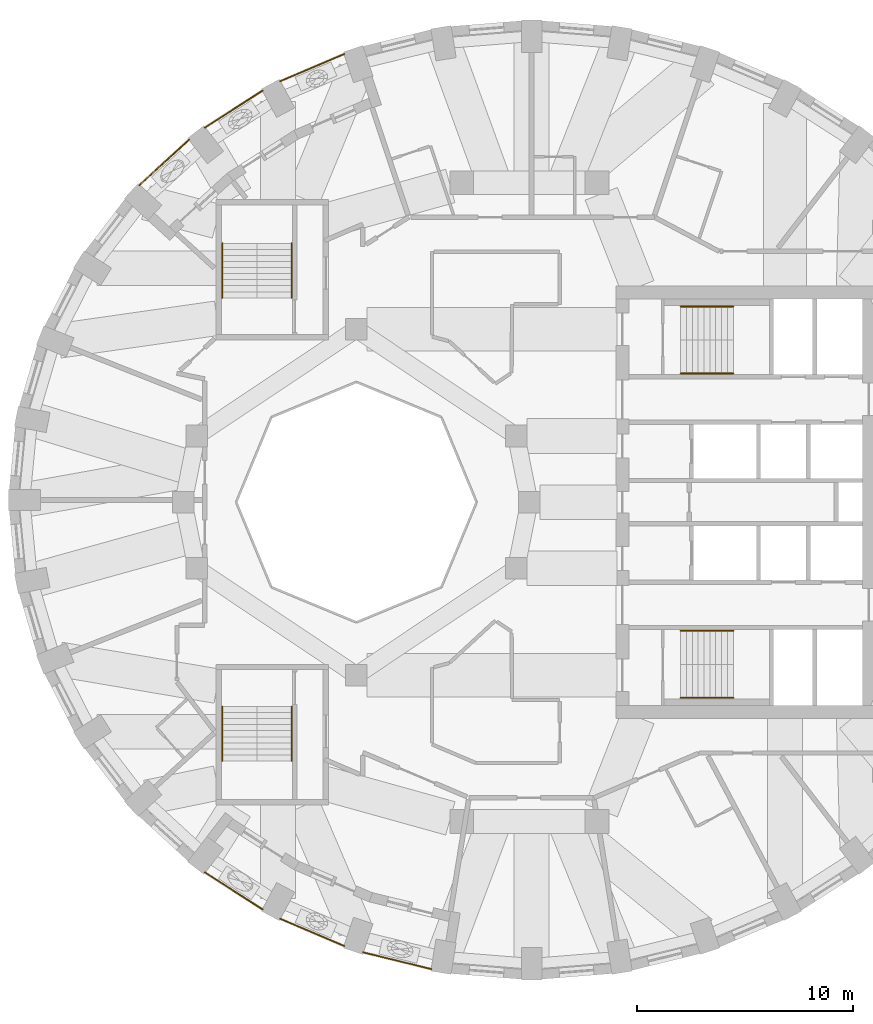
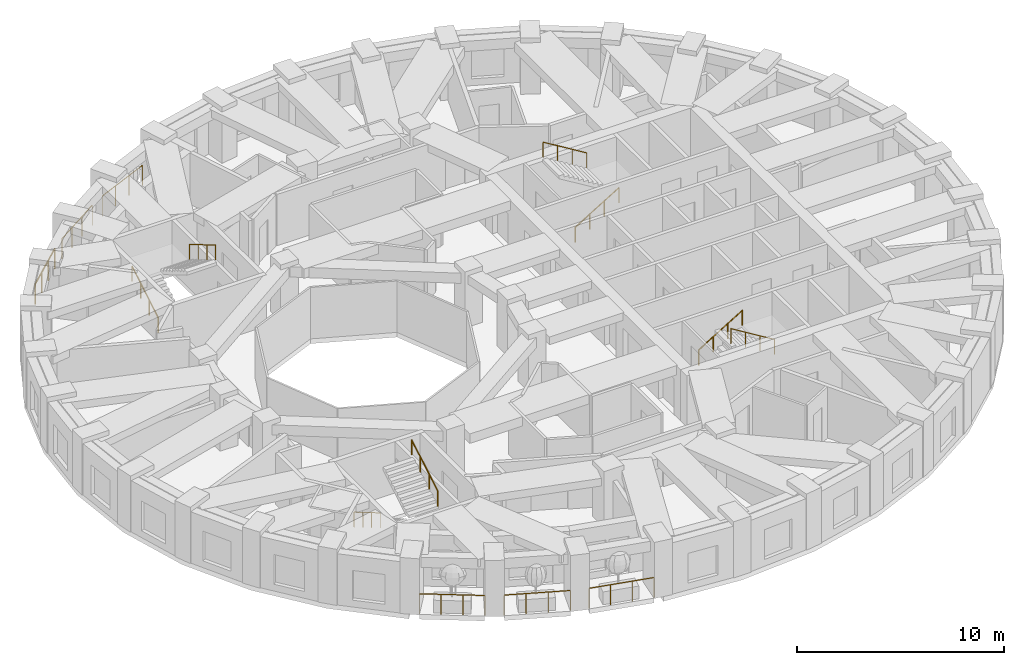
# One storey, part 10 of 12: 14 railings.
"""IFC4 building model written with IfcOpenShell, lengths in metres."""

import ifcopenshell
import ifcopenshell.guid

model = None  # the IFC model being written
_history = None  # IfcOwnerHistory: only IFC2X3 demands one
_inside = {}  # id of a spatial element -> (the spatial element, [elements in it])
_under = {}  # id of a project, library or spatial element -> (it, [spatial elements below it])
_declared = {}  # id of a project -> (the project, [libraries it declares])
_typed = {}  # id of a type object -> (the type object, [elements of that type])
_made_of = {}  # id of a material, layer set ... -> (it, [elements and type objects made of it])


def new_model(schema):
    """Start an empty IFC model of exactly this schema.

    Asked for "IFC4X3", IfcOpenShell would pick the latest addendum, in which some entities
    have other attributes; the version numbers below select the first issue.
    IFC2X3 requires an IfcOwnerHistory on every rooted entity: one is made here for all.
    """
    global model, _history
    if schema == "IFC4X3":
        model = ifcopenshell.file(schema_version=(4, 3, 0, 0))
    else:
        model = ifcopenshell.file(schema=schema)
    _inside.clear()
    _under.clear()
    _declared.clear()
    _typed.clear()
    _made_of.clear()
    _history = None
    if model.schema == "IFC2X3":
        org = make("IfcOrganization", Name="unknown")
        user = make(
            "IfcPersonAndOrganization",
            ThePerson=make("IfcPerson", FamilyName="unknown"),
            TheOrganization=org,
        )
        app = make(
            "IfcApplication",
            ApplicationDeveloper=org,
            Version="unknown",
            ApplicationFullName="unknown",
            ApplicationIdentifier="unknown",
        )
        _history = make(
            "IfcOwnerHistory",
            OwningUser=user,
            OwningApplication=app,
            ChangeAction="ADDED",
            CreationDate=0,
        )
    return model


def make(cls, **values):
    """One entity of the class cls with the attributes given. An attribute that is None is left unset."""
    return model.create_entity(
        cls, **{name: value for name, value in values.items() if value is not None}
    )


def rooted(cls, **values):
    """An entity with a GlobalId (a new one), such as an element, a storey or a relation."""
    return make(cls, GlobalId=ifcopenshell.guid.new(), OwnerHistory=_history, **values)


def si_unit(unit_type, name, prefix=None):
    """IfcSIUnit, for example si_unit("LENGTHUNIT", "METRE", prefix="MILLI")."""
    return make("IfcSIUnit", UnitType=unit_type, Prefix=prefix, Name=name)


def assignment(units):
    """IfcUnitAssignment: the units of a project."""
    return None if units is None else make("IfcUnitAssignment", Units=units)


def point(xyz):
    """IfcCartesianPoint."""
    return None if xyz is None else make("IfcCartesianPoint", Coordinates=xyz)


def direction(xyz):
    """IfcDirection."""
    return None if xyz is None else make("IfcDirection", DirectionRatios=xyz)


def frame(location, z_axis=None, x_axis=None):
    """IfcAxis2Placement3D, a coordinate frame: its origin and axes. An axis left out is left unset."""
    return make(
        "IfcAxis2Placement3D",
        Location=point(location),
        Axis=direction(z_axis),
        RefDirection=direction(x_axis),
    )


def frame_2d(location, x_axis=None):
    """IfcAxis2Placement2D, a coordinate frame in the plane: its origin and x axis."""
    return make(
        "IfcAxis2Placement2D", Location=point(location), RefDirection=direction(x_axis)
    )


def origin():
    """The frame at (0, 0, 0) with its axes left unset."""
    return frame((0.0, 0.0, 0.0))


def origin_2d():
    """The frame at (0, 0) in the plane with its x axis left unset."""
    return frame_2d((0.0, 0.0))


def place(relative_to, where):
    """IfcLocalPlacement: puts the frame where relative to a parent placement (None: the world)."""
    return make(
        "IfcLocalPlacement", PlacementRelTo=relative_to, RelativePlacement=where
    )


def context(
    kind, dimensions, precision=None, world=None, true_north=None, identifier=None
):
    """IfcGeometricRepresentationContext, for example the 3D "Model" context."""
    return make(
        "IfcGeometricRepresentationContext",
        ContextIdentifier=identifier,
        ContextType=kind,
        CoordinateSpaceDimension=dimensions,
        Precision=precision,
        WorldCoordinateSystem=world,
        TrueNorth=true_north,
    )


def subcontext(parent, identifier, kind, view, scale=None):
    """IfcGeometricRepresentationSubContext, for example "Body" below "Model"."""
    return make(
        "IfcGeometricRepresentationSubContext",
        ContextIdentifier=identifier,
        ContextType=kind,
        ParentContext=parent,
        TargetScale=scale,
        TargetView=view,
    )


def project(units=None, contexts=None):
    """IfcProject with its units and contexts."""
    return rooted(
        "IfcProject",
        Name="project",
        RepresentationContexts=contexts,
        UnitsInContext=assignment(units),
    )


def spatial(cls, under=None, at=None, **own):
    """A site, building, storey or space (cls), placed at a placement, below another one or the project."""
    s = rooted(cls, ObjectPlacement=at, **own)
    if under is not None:
        _under.setdefault(under.id(), (under, []))[1].append(s)
    return s


def profile(cls, at=None, kind="AREA", **sizes):
    """A parametric profile (cls). Its sizes go by their IFC names, for example OverallWidth=200.0."""
    return make(cls, ProfileType=kind, Position=at, **sizes)


def circle(**sizes):
    """IfcCircleProfileDef."""
    return profile("IfcCircleProfileDef", **sizes)


def extrude(swept, where, along, depth):
    """IfcExtrudedAreaSolid: the profile swept, set in the frame where, extruded along a direction by depth."""
    return make(
        "IfcExtrudedAreaSolid",
        SweptArea=swept,
        Position=where,
        ExtrudedDirection=direction(along),
        Depth=depth,
    )


def shape(context_of_items, identifier, shape_type, items):
    """IfcShapeRepresentation: the items that make up one representation, for example the "Body"."""
    return make(
        "IfcShapeRepresentation",
        ContextOfItems=context_of_items,
        RepresentationIdentifier=identifier,
        RepresentationType=shape_type,
        Items=items,
    )


def material(Name=None, Category=None):
    """IfcMaterial."""
    return make("IfcMaterial", Name=Name, Category=Category)


def made_of(thing, what):
    """Note that an element or type object is made of a material, layer set ...; save() writes the relation."""
    if what is not None:
        _made_of.setdefault(what.id(), (what, []))[1].append(thing)
    return thing


def type_object(cls, material=None, **own):
    """A type object (cls), such as IfcWallType, which elements share."""
    return made_of(rooted(cls, **own), material)


def element(
    cls,
    number,
    at=None,
    inside=None,
    cuts=None,
    type_object=None,
    material=None,
    context=None,
    identifier="Body",
    shape_type=None,
    held_by="IfcProductDefinitionShape",
    body=None,
    shapes=None,
    **own,
):
    """One element of the class cls, such as IfcWall. Its Tag is "e" and its number.

    at: its placement. inside: the storey or other place that contains it. cuts: it is an
    opening in that element (IfcRelVoidsElement). A single representation is given by context,
    identifier, shape_type and body (its items); several are given by shapes. held_by: the class
    of the entity that holds the representations. save() writes the other relations.
    """
    e = rooted(cls, Tag="e%d" % number, ObjectPlacement=at, **own)
    if body is not None:
        shapes = [shape(context, identifier, shape_type, body)]
    if shapes is not None:
        e.Representation = make(held_by, Representations=shapes)
    if inside is not None:
        _inside.setdefault(inside.id(), (inside, []))[1].append(e)
    if cuts is not None:
        rooted(
            "IfcRelVoidsElement", RelatingBuildingElement=cuts, RelatedOpeningElement=e
        )
    if type_object is not None:
        _typed.setdefault(type_object.id(), (type_object, []))[1].append(e)
    return made_of(e, material)


def aggregate(whole, parts):
    """IfcRelAggregates: a whole, such as a stair, and the parts it consists of."""
    return rooted("IfcRelAggregates", RelatingObject=whole, RelatedObjects=parts)


def save(model, path):
    """Write the relations noted so far, then the file.

    IfcRelAggregates (storeys below a building ...), IfcRelContainedInSpatialStructure (elements
    in a storey), IfcRelDefinesByType, IfcRelAssociatesMaterial and IfcRelDeclares: one each for
    every whole, place, type object, material and project.
    """
    for whole, parts in _under.values():
        aggregate(whole, parts)
    for where, things in _inside.values():
        rooted(
            "IfcRelContainedInSpatialStructure",
            RelatedElements=things,
            RelatingStructure=where,
        )
    for kind, things in _typed.values():
        rooted("IfcRelDefinesByType", RelatedObjects=things, RelatingType=kind)
    for what, things in _made_of.values():
        rooted("IfcRelAssociatesMaterial", RelatedObjects=things, RelatingMaterial=what)
    for by, libraries in _declared.values():
        rooted("IfcRelDeclares", RelatingContext=by, RelatedDefinitions=libraries)
    model.write(path)


model = new_model("IFC4")

# Units and contexts
model_context = context("Model", 3, precision=1e-05, world=origin(), true_north=direction((0.0, 1.0)))
body_context = subcontext(model_context, "Body", "Model", "MODEL_VIEW")
ifc_project = project(units=[si_unit("LENGTHUNIT", "METRE"), si_unit("AREAUNIT", "SQUARE_METRE"), si_unit("VOLUMEUNIT", "CUBIC_METRE"), si_unit("PLANEANGLEUNIT", "RADIAN"), si_unit("MASSUNIT", "GRAM", prefix="KILO")], contexts=[model_context])

# Site, building, storey
site_placement = place(None, origin())
site = spatial("IfcSite", under=ifc_project, at=site_placement, CompositionType="ELEMENT")
building_placement = place(site_placement, origin())
building = spatial("IfcBuilding", under=site, at=building_placement, Name="Taillehof Tower", CompositionType="ELEMENT")
storey_placement = place(building_placement, frame((0.0, 0.0, 168.199951171875)))
storey = spatial("IfcBuildingStorey", under=building, at=storey_placement, Name="L47", CompositionType="ELEMENT", Elevation=168.199951171875)

# Railings
ifc_material_1 = material(Name="Stainless steel balustrade", Category="steel")
railing_type_1 = type_object("IfcRailingType", Name="Balcony guard 1200", PredefinedType="GUARDRAIL", material=ifc_material_1)
railing_1_placement = place(storey_placement, frame((-8.558837890625, 20.7314453125, 0.0)))
element("IfcRailing", 1, at=railing_1_placement, inside=storey, type_object=railing_type_1, Name="Balcony guard L47 bay 12", PredefinedType="GUARDRAIL", context=body_context, shape_type="SweptSolid", body=[
    extrude(circle(Radius=0.02392578125, at=origin_2d()), frame((0.0, 0.0, 1.17578125), z_axis=(-0.919824392668, -0.39233032849, 0.0), x_axis=(0.39233032849, -0.919824392668, 0.0)), (0.0, 0.0, 1.0), 3.227783203125),
    extrude(circle(Radius=0.02099609375, at=origin_2d()), origin(), (0.0, 0.0, 1.0), 1.15185546875),
    extrude(circle(Radius=0.02099609375, at=origin_2d()), frame((-0.98974609375, -0.422119140625, 0.0)), (0.0, 0.0, 1.0), 1.15185546875),
    extrude(circle(Radius=0.02099609375, at=origin_2d()), frame((-1.979248046875, -0.84423828125, 0.0)), (0.0, 0.0, 1.0), 1.15185546875),
    extrude(circle(Radius=0.02099609375, at=origin_2d()), frame((-2.968994140625, -1.266357421875, 0.0)), (0.0, 0.0, 1.0), 1.15185546875),
])
railing_2_placement = place(storey_placement, frame((-12.332275390625, 19.03955078125, 0.0)))
element("IfcRailing", 2, at=railing_2_placement, inside=storey, type_object=railing_type_1, Name="Balcony guard L47 bay 13", PredefinedType="GUARDRAIL", context=body_context, shape_type="SweptSolid", body=[
    extrude(circle(Radius=0.02392578125, at=origin_2d()), frame((0.0, 0.0, 1.17578125), z_axis=(-0.842070522293, -0.539367440141, 0.0), x_axis=(0.539367440141, -0.842070522293, 0.0)), (0.0, 0.0, 1.0), 3.179443359375),
    extrude(circle(Radius=0.02099609375, at=origin_2d()), origin(), (0.0, 0.0, 1.0), 1.15185546875),
    extrude(circle(Radius=0.02099609375, at=origin_2d()), frame((-0.892333984375, -0.571533203125, 0.0)), (0.0, 0.0, 1.0), 1.15185546875),
    extrude(circle(Radius=0.02099609375, at=origin_2d()), frame((-1.784912109375, -1.143310546875, 0.0)), (0.0, 0.0, 1.0), 1.15185546875),
    extrude(circle(Radius=0.02099609375, at=origin_2d()), frame((-2.67724609375, -1.71484375, 0.0)), (0.0, 0.0, 1.0), 1.15185546875),
])
railing_3_placement = place(storey_placement, frame((-15.731201171875, 16.77001953125, 0.0)))
element("IfcRailing", 3, at=railing_3_placement, inside=storey, type_object=railing_type_1, Name="Balcony guard L47 bay 14", PredefinedType="GUARDRAIL", context=body_context, shape_type="SweptSolid", body=[
    extrude(circle(Radius=0.02392578125, at=origin_2d()), frame((0.0, 0.0, 1.17578125), z_axis=(-0.737792988056, -0.675027041514, 0.0), x_axis=(0.675027041514, -0.737792988056, 0.0)), (0.0, 0.0, 1.0), 3.12353515625),
    extrude(circle(Radius=0.02099609375, at=origin_2d()), origin(), (0.0, 0.0, 1.0), 1.15185546875),
    extrude(circle(Radius=0.02099609375, at=origin_2d()), frame((-0.76806640625, -0.702880859375, 0.0)), (0.0, 0.0, 1.0), 1.15185546875),
    extrude(circle(Radius=0.02099609375, at=origin_2d()), frame((-1.536376953125, -1.405517578125, 0.0)), (0.0, 0.0, 1.0), 1.15185546875),
    extrude(circle(Radius=0.02099609375, at=origin_2d()), frame((-2.304443359375, -2.1083984375, 0.0)), (0.0, 0.0, 1.0), 1.15185546875),
])
railing_4_placement = place(storey_placement, frame((-15.009521484375, -17.12451171875, 0.0)))
element("IfcRailing", 4, at=railing_4_placement, inside=storey, type_object=railing_type_1, Name="Balcony guard L47 bay 24", PredefinedType="GUARDRAIL", context=body_context, shape_type="SweptSolid", body=[
    extrude(circle(Radius=0.02392578125, at=origin_2d()), frame((0.0, 0.0, 1.17578125), z_axis=(0.842035645436, -0.539421886667, 0.0), x_axis=(0.539421886667, 0.842035645436, 0.0)), (0.0, 0.0, 1.0), 3.179443359375),
    extrude(circle(Radius=0.02099609375, at=origin_2d()), origin(), (0.0, 0.0, 1.0), 1.15185546875),
    extrude(circle(Radius=0.02099609375, at=origin_2d()), frame((0.892333984375, -0.57177734375, 0.0)), (0.0, 0.0, 1.0), 1.15185546875),
    extrude(circle(Radius=0.02099609375, at=origin_2d()), frame((1.784912109375, -1.143310546875, 0.0)), (0.0, 0.0, 1.0), 1.15185546875),
    extrude(circle(Radius=0.02099609375, at=origin_2d()), frame((2.67724609375, -1.715087890625, 0.0)), (0.0, 0.0, 1.0), 1.15185546875),
])
railing_5_placement = place(storey_placement, frame((-11.52783203125, -19.264892578125, 0.0)))
element("IfcRailing", 5, at=railing_5_placement, inside=storey, type_object=railing_type_1, Name="Balcony guard L47 bay 25", PredefinedType="GUARDRAIL", context=body_context, shape_type="SweptSolid", body=[
    extrude(circle(Radius=0.02392578125, at=origin_2d()), frame((0.0, 0.0, 1.17578125), z_axis=(0.919797095665, -0.392394320558, 0.0), x_axis=(0.392394320558, 0.919797095665, 0.0)), (0.0, 0.0, 1.0), 3.227783203125),
    extrude(circle(Radius=0.02099609375, at=origin_2d()), origin(), (0.0, 0.0, 1.0), 1.15185546875),
    extrude(circle(Radius=0.02099609375, at=origin_2d()), frame((0.98974609375, -0.422119140625, 0.0)), (0.0, 0.0, 1.0), 1.15185546875),
    extrude(circle(Radius=0.02099609375, at=origin_2d()), frame((1.979248046875, -0.844482421875, 0.0)), (0.0, 0.0, 1.0), 1.15185546875),
    extrude(circle(Radius=0.02099609375, at=origin_2d()), frame((2.968994140625, -1.2666015625, 0.0)), (0.0, 0.0, 1.0), 1.15185546875),
])
railing_6_placement = place(storey_placement, frame((-7.6953125, -20.8193359375, 0.0)))
element("IfcRailing", 6, at=railing_6_placement, inside=storey, type_object=railing_type_1, Name="Balcony guard L47 bay 26", PredefinedType="GUARDRAIL", context=body_context, shape_type="SweptSolid", body=[
    extrude(circle(Radius=0.02392578125, at=origin_2d()), frame((0.0, 0.0, 1.17578125), z_axis=(0.971236963408, -0.238115016139, 0.0), x_axis=(0.238115016139, 0.971236963408, 0.0)), (0.0, 0.0, 1.0), 3.263427734375),
    extrude(circle(Radius=0.02099609375, at=origin_2d()), origin(), (0.0, 0.0, 1.0), 1.15185546875),
    extrude(circle(Radius=0.02099609375, at=origin_2d()), frame((1.056640625, -0.259033203125, 0.0)), (0.0, 0.0, 1.0), 1.15185546875),
    extrude(circle(Radius=0.02099609375, at=origin_2d()), frame((2.113037109375, -0.51806640625, 0.0)), (0.0, 0.0, 1.0), 1.15185546875),
    extrude(circle(Radius=0.02099609375, at=origin_2d()), frame((3.169677734375, -0.777099609375, 0.0)), (0.0, 0.0, 1.0), 1.15185546875),
])
ifc_material_2 = material(Name="Stainless steel", Category="steel")
railing_type_2 = type_object("IfcRailingType", Name="Stair handrail 900", PredefinedType="HANDRAIL", material=ifc_material_2)
railing_7_placement = place(storey_placement, frame((7.0, 5.949951171875, 0.1650390625)))
element("IfcRailing", 7, at=railing_7_placement, inside=storey, type_object=railing_type_2, Name="Stair S1 handrail", PredefinedType="HANDRAIL", context=body_context, shape_type="SweptSolid", body=[
    extrude(circle(Radius=0.02392578125, at=origin_2d()), frame((0.0, 0.0, 0.8759765625), z_axis=(0.853258522278, 0.0, 0.521488153423), x_axis=(0.0, 1.0, 0.0)), (0.0, 0.0, 1.0), 2.847900390625),
    extrude(circle(Radius=0.02099609375, at=origin_2d()), origin(), (0.0, 0.0, 1.0), 0.851806640625),
    extrude(circle(Radius=0.02099609375, at=origin_2d()), frame((0.81005859375, 0.0, 0.4951171875)), (0.0, 0.0, 1.0), 0.851806640625),
    extrude(circle(Radius=0.02099609375, at=origin_2d()), frame((1.619873046875, 0.0, 0.989990234375)), (0.0, 0.0, 1.0), 0.851806640625),
    extrude(circle(Radius=0.02099609375, at=origin_2d()), frame((2.429931640625, 0.0, 1.485107421875)), (0.0, 0.0, 1.0), 0.851806640625),
])
railing_8_placement = place(storey_placement, frame((9.429931640625, 9.050048828125, 1.81494140625)))
element("IfcRailing", 8, at=railing_8_placement, inside=storey, type_object=railing_type_2, Name="Stair S1 handrail", PredefinedType="HANDRAIL", context=body_context, shape_type="SweptSolid", body=[
    extrude(circle(Radius=0.02392578125, at=origin_2d()), frame((0.0, 0.0, 0.8759765625), z_axis=(-0.853258522278, 0.0, 0.521488153423), x_axis=(0.0, -1.0, 0.0)), (0.0, 0.0, 1.0), 2.847900390625),
    extrude(circle(Radius=0.02099609375, at=origin_2d()), origin(), (0.0, 0.0, 1.0), 0.851806640625),
    extrude(circle(Radius=0.02099609375, at=origin_2d()), frame((-0.81005859375, 0.0, 0.4951171875)), (0.0, 0.0, 1.0), 0.851806640625),
    extrude(circle(Radius=0.02099609375, at=origin_2d()), frame((-1.619873046875, 0.0, 0.989990234375)), (0.0, 0.0, 1.0), 0.851806640625),
    extrude(circle(Radius=0.02099609375, at=origin_2d()), frame((-2.429931640625, 0.0, 1.485107421875)), (0.0, 0.0, 1.0), 0.851806640625),
])
railing_9_placement = place(storey_placement, frame((7.0, -5.949951171875, 0.1650390625)))
element("IfcRailing", 9, at=railing_9_placement, inside=storey, type_object=railing_type_2, Name="Stair S2 handrail", PredefinedType="HANDRAIL", context=body_context, shape_type="SweptSolid", body=[
    extrude(circle(Radius=0.02392578125, at=origin_2d()), frame((0.0, 0.0, 0.8759765625), z_axis=(0.853258522278, 0.0, 0.521488153423), x_axis=(0.0, 1.0, 0.0)), (0.0, 0.0, 1.0), 2.847900390625),
    extrude(circle(Radius=0.02099609375, at=origin_2d()), origin(), (0.0, 0.0, 1.0), 0.851806640625),
    extrude(circle(Radius=0.02099609375, at=origin_2d()), frame((0.81005859375, 0.0, 0.4951171875)), (0.0, 0.0, 1.0), 0.851806640625),
    extrude(circle(Radius=0.02099609375, at=origin_2d()), frame((1.619873046875, 0.0, 0.989990234375)), (0.0, 0.0, 1.0), 0.851806640625),
    extrude(circle(Radius=0.02099609375, at=origin_2d()), frame((2.429931640625, 0.0, 1.485107421875)), (0.0, 0.0, 1.0), 0.851806640625),
])
railing_10_placement = place(storey_placement, frame((9.429931640625, -9.050048828125, 1.81494140625)))
element("IfcRailing", 10, at=railing_10_placement, inside=storey, type_object=railing_type_2, Name="Stair S2 handrail", PredefinedType="HANDRAIL", context=body_context, shape_type="SweptSolid", body=[
    extrude(circle(Radius=0.02392578125, at=origin_2d()), frame((0.0, 0.0, 0.8759765625), z_axis=(-0.853258522278, 0.0, 0.521488153423), x_axis=(0.0, -1.0, 0.0)), (0.0, 0.0, 1.0), 2.847900390625),
    extrude(circle(Radius=0.02099609375, at=origin_2d()), origin(), (0.0, 0.0, 1.0), 0.851806640625),
    extrude(circle(Radius=0.02099609375, at=origin_2d()), frame((-0.81005859375, 0.0, 0.4951171875)), (0.0, 0.0, 1.0), 0.851806640625),
    extrude(circle(Radius=0.02099609375, at=origin_2d()), frame((-1.619873046875, 0.0, 0.989990234375)), (0.0, 0.0, 1.0), 0.851806640625),
    extrude(circle(Radius=0.02099609375, at=origin_2d()), frame((-2.429931640625, 0.0, 1.485107421875)), (0.0, 0.0, 1.0), 0.851806640625),
])
railing_11_placement = place(storey_placement, frame((-14.199951171875, 9.449951171875, 0.1650390625)))
element("IfcRailing", 11, at=railing_11_placement, inside=storey, type_object=railing_type_2, Name="Stair S3 handrail", PredefinedType="HANDRAIL", context=body_context, shape_type="SweptSolid", body=[
    extrude(circle(Radius=0.02392578125, at=origin_2d()), frame((0.0, 0.0, 0.8759765625), z_axis=(0.0, 0.86152411907, 0.507716645641), x_axis=(-1.0, 0.0, 0.0)), (0.0, 0.0, 1.0), 2.925048828125),
    extrude(circle(Radius=0.02099609375, at=origin_2d()), origin(), (0.0, 0.0, 1.0), 0.851806640625),
    extrude(circle(Radius=0.02099609375, at=origin_2d()), frame((0.0, 0.840087890625, 0.4951171875)), (0.0, 0.0, 1.0), 0.851806640625),
    extrude(circle(Radius=0.02099609375, at=origin_2d()), frame((0.0, 1.679931640625, 0.989990234375)), (0.0, 0.0, 1.0), 0.851806640625),
    extrude(circle(Radius=0.02099609375, at=origin_2d()), frame((0.0, 2.52001953125, 1.485107421875)), (0.0, 0.0, 1.0), 0.851806640625),
])
for number, where, name in (
    (12, (-11.0, 11.969970703125, 1.81494140625), "Stair S3 handrail"),
    (13, (-14.199951171875, -9.449951171875, 0.1650390625), "Stair S4 handrail"),
):
    element("IfcRailing", number, at=place(storey_placement, frame(where)), inside=storey, type_object=railing_type_2, Name=name, PredefinedType="HANDRAIL", context=body_context, shape_type="SweptSolid", body=[
        extrude(circle(Radius=0.02392578125, at=origin_2d()), frame((0.0, 0.0, 0.8759765625), z_axis=(0.0, -0.86152411907, 0.507716645641), x_axis=(1.0, 0.0, 0.0)), (0.0, 0.0, 1.0), 2.925048828125),
        extrude(circle(Radius=0.02099609375, at=origin_2d()), origin(), (0.0, 0.0, 1.0), 0.851806640625),
        extrude(circle(Radius=0.02099609375, at=origin_2d()), frame((0.0, -0.840087890625, 0.4951171875)), (0.0, 0.0, 1.0), 0.851806640625),
        extrude(circle(Radius=0.02099609375, at=origin_2d()), frame((0.0, -1.679931640625, 0.989990234375)), (0.0, 0.0, 1.0), 0.851806640625),
        extrude(circle(Radius=0.02099609375, at=origin_2d()), frame((0.0, -2.52001953125, 1.485107421875)), (0.0, 0.0, 1.0), 0.851806640625),
    ])
railing_12_placement = place(storey_placement, frame((-11.0, -11.969970703125, 1.81494140625)))
element("IfcRailing", 14, at=railing_12_placement, inside=storey, type_object=railing_type_2, Name="Stair S4 handrail", PredefinedType="HANDRAIL", context=body_context, shape_type="SweptSolid", body=[
    extrude(circle(Radius=0.02392578125, at=origin_2d()), frame((0.0, 0.0, 0.8759765625), z_axis=(0.0, 0.86152411907, 0.507716645641), x_axis=(-1.0, 0.0, 0.0)), (0.0, 0.0, 1.0), 2.925048828125),
    extrude(circle(Radius=0.02099609375, at=origin_2d()), origin(), (0.0, 0.0, 1.0), 0.851806640625),
    extrude(circle(Radius=0.02099609375, at=origin_2d()), frame((0.0, 0.840087890625, 0.4951171875)), (0.0, 0.0, 1.0), 0.851806640625),
    extrude(circle(Radius=0.02099609375, at=origin_2d()), frame((0.0, 1.679931640625, 0.989990234375)), (0.0, 0.0, 1.0), 0.851806640625),
    extrude(circle(Radius=0.02099609375, at=origin_2d()), frame((0.0, 2.52001953125, 1.485107421875)), (0.0, 0.0, 1.0), 0.851806640625),
])

save(model, "model.ifc")
